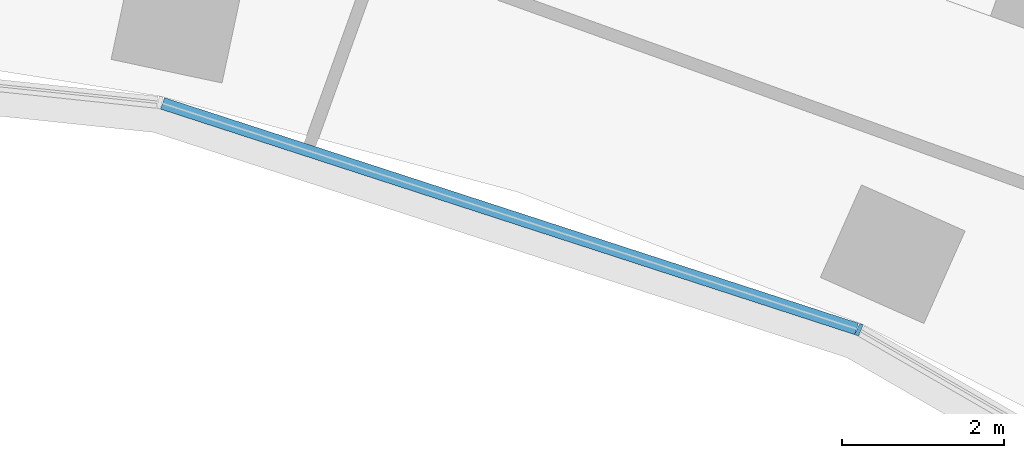
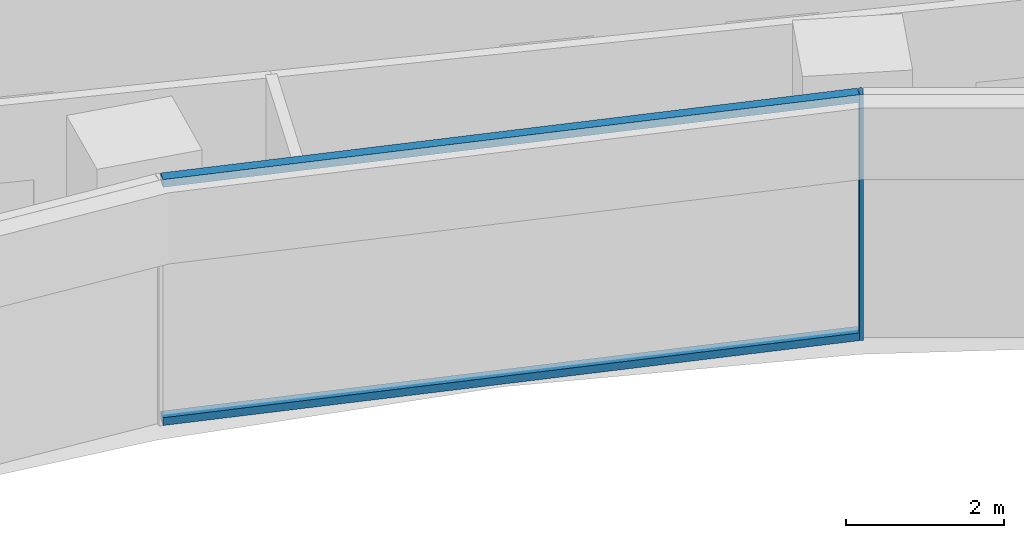
# One storey, part 10 of 24: 3 members, 1 element without a shape of its own.
"""IFC4 building model written with IfcOpenShell, lengths in metres."""

from ifc_helpers import new_model, si_unit, direction, frame, origin, origin_2d, place, context, subcontext, project, spatial, rectangle, extrude, material, layer, layer_set, material_profile, profile_set, type_object, element, aggregate, save


model = new_model("IFC4")

# Units and contexts
model_context = context("Model", 3, precision=1e-05, world=origin(), true_north=direction((0.0, 1.0)))
body_context = subcontext(model_context, "Body", "Model", "MODEL_VIEW")
ifc_project = project(units=[si_unit("LENGTHUNIT", "METRE"), si_unit("AREAUNIT", "SQUARE_METRE"), si_unit("VOLUMEUNIT", "CUBIC_METRE"), si_unit("PLANEANGLEUNIT", "RADIAN"), si_unit("MASSUNIT", "GRAM", prefix="KILO")], contexts=[model_context])

# Site, building, storey
site_placement = place(None, origin())
site = spatial("IfcSite", under=ifc_project, at=site_placement, CompositionType="ELEMENT")
building_placement = place(site_placement, origin())
building = spatial("IfcBuilding", under=site, at=building_placement, Name="Stone Belt Terrace Tower", CompositionType="ELEMENT")
storey_placement = place(building_placement, frame((0.0, 0.0, 75.60009765625)))
storey = spatial("IfcBuildingStorey", under=building, at=storey_placement, Name="L18", CompositionType="ELEMENT", Elevation=75.60009765625)

# Curtain wall, members
ifc_material = material(Name="Aluminium 6063-T6 anodised frame", Category="aluminium")
ifc_layer = layer(ifc_material, 0.14990234375)
ifc_layer_set = layer_set([ifc_layer], Name="CW-B unitised concave-face curtain wall")
curtain_wall_type = type_object("IfcCurtainWallType", Name="CW-B unitised concave-face curtain wall", PredefinedType="NOTDEFINED", material=ifc_layer_set)
curtain_wall_placement = place(storey_placement, origin())
curtain_wall = element("IfcCurtainWall", 1, at=curtain_wall_placement, inside=storey, type_object=curtain_wall_type, Name="CW-B concave face L18", PredefinedType="NOTDEFINED")
ifc_material_profile_1 = material_profile(ifc_material, rectangle(XDim=0.14990234375, YDim=0.050048828125, at=origin_2d()), Name="Aluminium 6063-T6 50x150")
ifc_profile_set_1 = profile_set([ifc_material_profile_1], Name="Aluminium 6063-T6 anodised frame")
member_type_1 = type_object("IfcMemberType", Name="CW-B mullion 50 x 150", PredefinedType="MULLION", material=ifc_profile_set_1)
member_1_placement = place(storey_placement, frame((17.662353515625, 39.67041015625, 0.0), z_axis=(0.0, 0.0, 1.0), x_axis=(0.406736643076, 0.913545457643, 0.0)))
member_1 = element("IfcMember", 2, at=member_1_placement, type_object=member_type_1, Name="CW-B mullion 8", PredefinedType="MULLION", context=body_context, shape_type="SweptSolid", body=[
    extrude(rectangle(XDim=0.14990234375, YDim=0.050048828125, at=origin_2d()), origin(), (0.0, 0.0, 1.0), 3.7998046875),
])
ifc_material_profile_2 = material_profile(ifc_material, rectangle(XDim=0.14990234375, YDim=0.1201171875, at=origin_2d()), Name="Aluminium 6063-T6 150x120")
ifc_profile_set_2 = profile_set([ifc_material_profile_2], Name="Aluminium 6063-T6 anodised frame")
member_type_2 = type_object("IfcMemberType", Name="CW-B transom 120 x 150", PredefinedType="USERDEFINED", material=ifc_profile_set_2)
member_2_placement = place(storey_placement, frame((9.0595703125, 42.465576171875, 0.059814453125), z_axis=(0.951055963285, -0.309018696359, 0.0), x_axis=(0.309018696359, 0.951055963285, 0.0)))
member_2 = element("IfcMember", 3, at=member_2_placement, type_object=member_type_2, Name="CW-B transom 7.1", ObjectType="TRANSOM", PredefinedType="USERDEFINED", context=body_context, shape_type="SweptSolid", body=[
    extrude(rectangle(XDim=0.14990234375, YDim=0.1201171875, at=origin_2d()), origin(), (0.0, 0.0, 1.0), 9.012939453125),
])
member_3_placement = place(storey_placement, frame((9.0595703125, 42.465576171875, 3.739990234375), z_axis=(0.951055963285, -0.309018696359, 0.0), x_axis=(0.309018696359, 0.951055963285, 0.0)))
member_3 = element("IfcMember", 4, at=member_3_placement, type_object=member_type_2, Name="CW-B transom 7.2", ObjectType="TRANSOM", PredefinedType="USERDEFINED", context=body_context, shape_type="SweptSolid", body=[
    extrude(rectangle(XDim=0.14990234375, YDim=0.1201171875, at=origin_2d()), origin(), (0.0, 0.0, 1.0), 9.012939453125),
])
aggregate(curtain_wall, [member_1, member_2, member_3])

save(model, "model.ifc")
